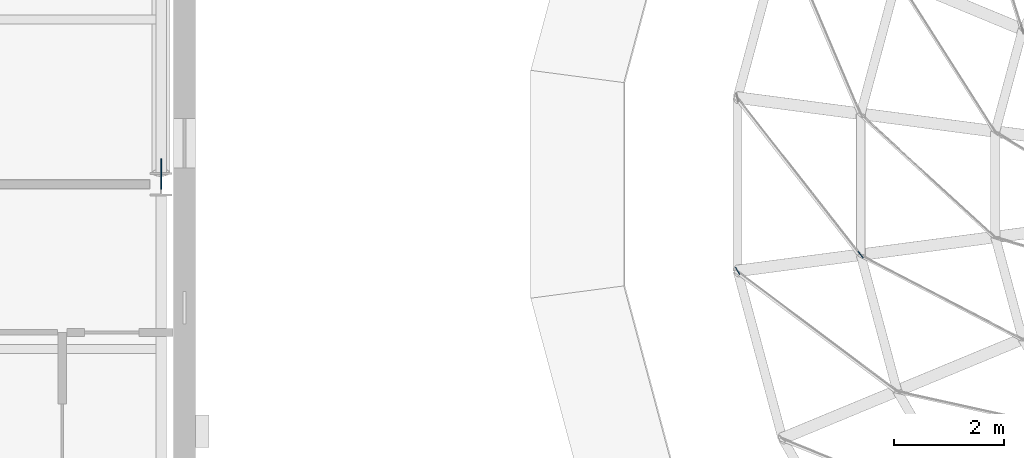
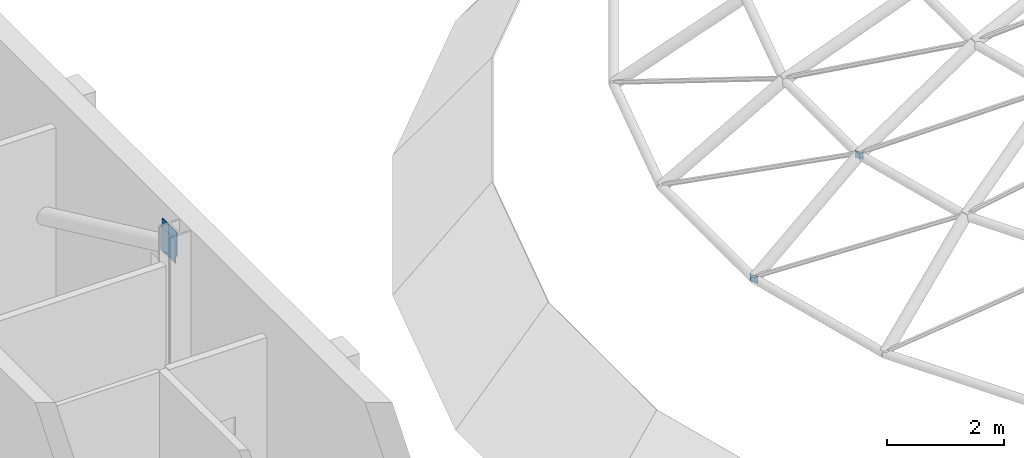
# One storey, part 21 of 33: 4 discrete accessories.
"""IFC4 building model written with IfcOpenShell, lengths in metres."""

from ifc_helpers import new_model, si_unit, direction, frame, origin, origin_2d, place, context, subcontext, project, spatial, rectangle, extrude, material, type_object, element, save


model = new_model("IFC4")

# Units and contexts
model_context = context("Model", 3, precision=1e-05, world=origin(), true_north=direction((0.0, 1.0)))
body_context = subcontext(model_context, "Body", "Model", "MODEL_VIEW")
ifc_project = project(units=[si_unit("LENGTHUNIT", "METRE"), si_unit("AREAUNIT", "SQUARE_METRE"), si_unit("VOLUMEUNIT", "CUBIC_METRE"), si_unit("PLANEANGLEUNIT", "RADIAN"), si_unit("MASSUNIT", "GRAM", prefix="KILO")], contexts=[model_context])

# Site, building, storey
site_placement = place(None, origin())
site = spatial("IfcSite", under=ifc_project, at=site_placement, CompositionType="ELEMENT")
building_placement = place(site_placement, origin())
building = spatial("IfcBuilding", under=site, at=building_placement, Name="Hortulan Conservatory and Botanical Research Centre", CompositionType="ELEMENT")
storey_placement = place(building_placement, frame((0.0, 0.0, 19.199951171875)))
storey = spatial("IfcBuildingStorey", under=building, at=storey_placement, Name="L04", CompositionType="ELEMENT", Elevation=19.199951171875)

# Discrete accessories
ifc_material = material(Name="Steel Grade 300 plate (AS/NZS 3678, 280 MPa minimum yield)", Category="steel")
discrete_accessory_type_1 = type_object("IfcDiscreteAccessoryType", Name="End Plate 150x10", PredefinedType="BRACKET", material=ifc_material)
for number, where, z_axis, x_axis, name in (
    (1, (42.00341796875, 16.420654296875, 0.361572265625), (0.0, 0.0, 1.0), (0.502054228799, -0.864836141327, 0.0), "Dome rod end plate"),
    (2, (44.246337890625, 16.7158203125, 1.972900390625), (0.0, 0.0, 1.0), (0.616637492514, -0.787247231069, 0.0), "Dome rod end plate"),
):
    element("IfcDiscreteAccessory", number, at=place(storey_placement, frame(where, z_axis=z_axis, x_axis=x_axis)), inside=storey, type_object=discrete_accessory_type_1, Name=name, PredefinedType="BRACKET", context=body_context, shape_type="SweptSolid", body=[
        extrude(rectangle(XDim=0.14990234375, YDim=0.010009765625, at=origin_2d()), origin(), (0.0, 0.0, 1.0), 0.14990234375),
    ])
discrete_accessory_type_2 = type_object("IfcDiscreteAccessoryType", Name="End Plate 500x20", PredefinedType="BRACKET", material=ifc_material)
for number, where, z_axis, x_axis, name in (
    (3, (31.5, 18.2109375, 3.491455078125), (0.0, 0.0, 1.0), (0.0, -1.0, 0.0), "Brace end plate"),
    (4, (31.5, 18.16357421875, 3.666259765625), (0.0, 0.0, 1.0), (0.0, -1.0, 0.0), "Brace end plate"),
):
    element("IfcDiscreteAccessory", number, at=place(storey_placement, frame(where, z_axis=z_axis, x_axis=x_axis)), inside=storey, type_object=discrete_accessory_type_2, Name=name, PredefinedType="BRACKET", context=body_context, shape_type="SweptSolid", body=[
        extrude(rectangle(XDim=0.5, YDim=0.02001953125, at=origin_2d()), origin(), (0.0, 0.0, 1.0), 0.5),
    ])

save(model, "model.ifc")
